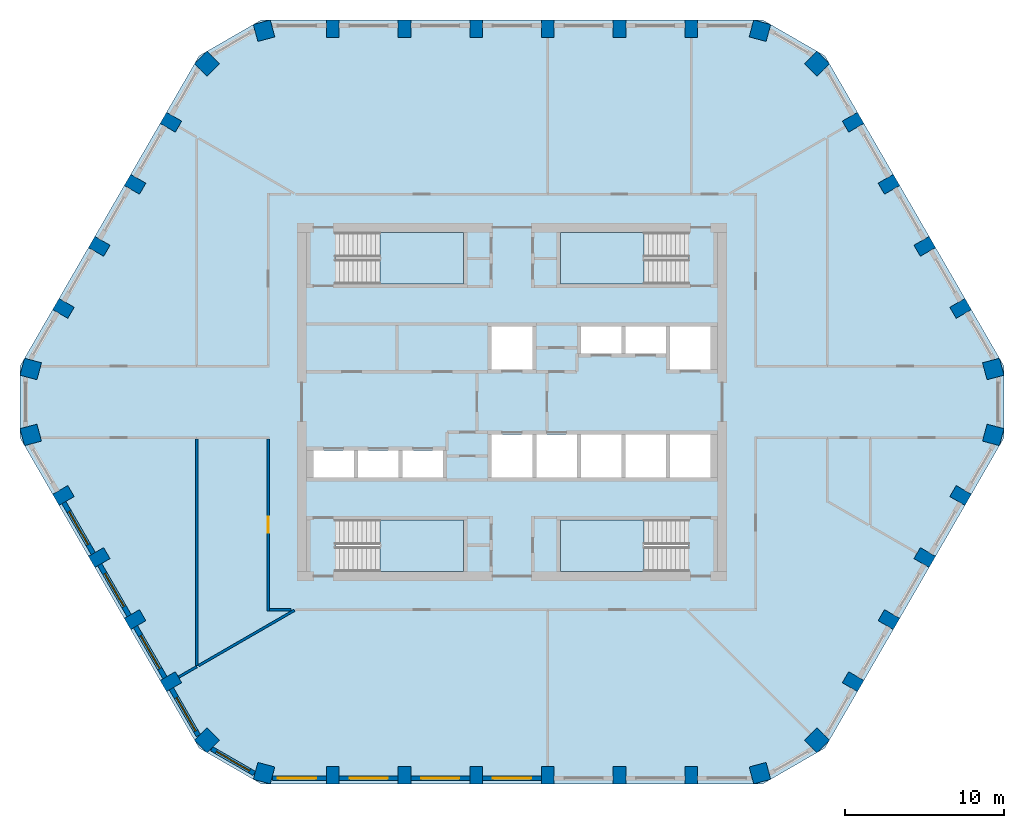
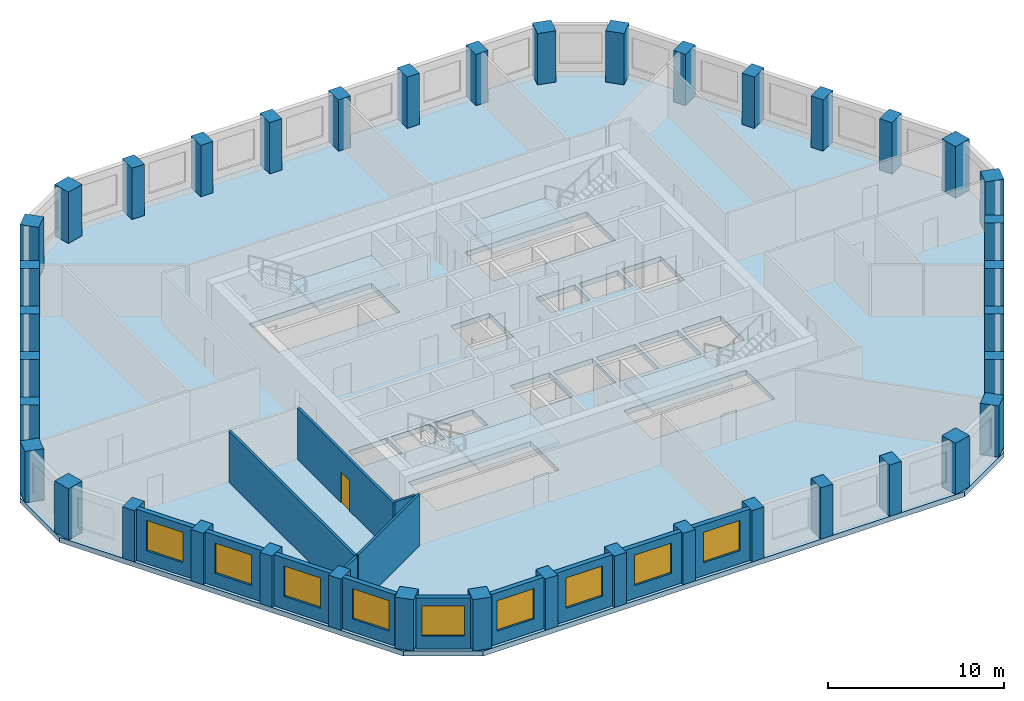
# One storey, part 1 of 8: 40 columns, 14 walls, 9 windows, 5 slabs, 1 door, 10 openings, 4 elements without a shape of their own.
"""IFC4 building model written with IfcOpenShell, lengths in metres."""

from ifc_helpers import new_model, si_unit, direction, frame, frame_2d, origin, origin_2d, place, context, subcontext, project, spatial, polyline, rectangle, outline, extrude, material, layer, layer_set, material_profile, profile_set, type_object, element, fill, aggregate, save


model = new_model("IFC4")

# Units and contexts
model_context = context("Model", 3, precision=1e-05, world=origin(), true_north=direction((0.0, 1.0)))
body_context = subcontext(model_context, "Body", "Model", "MODEL_VIEW")
ifc_project = project(units=[si_unit("LENGTHUNIT", "METRE"), si_unit("AREAUNIT", "SQUARE_METRE"), si_unit("VOLUMEUNIT", "CUBIC_METRE"), si_unit("PLANEANGLEUNIT", "RADIAN"), si_unit("MASSUNIT", "GRAM", prefix="KILO")], contexts=[model_context])

# Site, building, storey
site_placement = place(None, origin())
site = spatial("IfcSite", under=ifc_project, at=site_placement, CompositionType="ELEMENT")
building_placement = place(site_placement, origin())
building = spatial("IfcBuilding", under=site, at=building_placement, Name="Dhurran Vertical Campus", CompositionType="ELEMENT")
storey_placement = place(building_placement, frame((0.0, 0.0, 219.0)))
storey = spatial("IfcBuildingStorey", under=building, at=storey_placement, Name="L54", CompositionType="ELEMENT", Elevation=219.0)

# Columns
ifc_material_1 = material(Name="Concrete C50/60", Category="concrete")
ifc_material_profile_1 = material_profile(ifc_material_1, rectangle(XDim=1.10009765625, YDim=1.10009765625, at=origin_2d()), Name="RC 1100x1100")
ifc_profile_set_1 = profile_set([ifc_material_profile_1], Name="Concrete C50/60")
column_type_1 = type_object("IfcColumnType", Name="FR COL RC 1100x1100 C50/60", PredefinedType="COLUMN", material=ifc_profile_set_1)
for number, where, z_axis, x_axis, name in (
    (1, (-15.569580078125, -23.31201171875, 0.0), (0.0, 0.0, 1.0), (0.965925826289, -0.258819045103, 0.0), "Perimeter pier PP4.00"),
    (2, (15.569580078125, -23.31201171875, 0.0), (0.0, 0.0, 1.0), (0.965925826289, 0.258819045103, 0.0), "Perimeter pier PP4.07"),
    (3, (19.154052734375, -21.242431640625, 0.0), (0.0, 0.0, 1.0), (0.707106781187, 0.707106781187, 0.0), "Perimeter pier PP4.08"),
    (4, (30.223388671875, -2.069580078125, 0.0), (0.0, 0.0, 1.0), (0.258819045103, 0.965925826289, 0.0), "Perimeter pier PP4.13"),
    (5, (30.223388671875, 2.069580078125, 0.0), (0.0, 0.0, 1.0), (-0.258819045103, 0.965925826289, 0.0), "Perimeter pier PP4.14"),
    (6, (19.154052734375, 21.242431640625, 0.0), (0.0, 0.0, 1.0), (-0.707106781187, 0.707106781187, 0.0), "Perimeter pier PP4.19"),
    (7, (15.569580078125, 23.31201171875, 0.0), (0.0, 0.0, 1.0), (-0.965925826289, 0.258819045103, 0.0), "Perimeter pier PP4.20"),
    (8, (-15.569580078125, 23.31201171875, 0.0), (0.0, 0.0, 1.0), (-0.965925826289, -0.258819045103, 0.0), "Perimeter pier PP4.27"),
    (9, (-19.154052734375, 21.242431640625, 0.0), (0.0, 0.0, 1.0), (-0.707106781187, -0.707106781187, 0.0), "Perimeter pier PP4.28"),
    (10, (-30.223388671875, 2.069580078125, 0.0), (0.0, 0.0, 1.0), (-0.258819045103, -0.965925826289, 0.0), "Perimeter pier PP4.33"),
    (11, (-30.223388671875, -2.069580078125, 0.0), (0.0, 0.0, 1.0), (0.258819045103, -0.965925826289, 0.0), "Perimeter pier PP4.34"),
    (12, (-19.154052734375, -21.242431640625, 0.0), (0.0, 0.0, 1.0), (0.707106781187, -0.707106781187, 0.0), "Perimeter pier PP4.39"),
):
    element("IfcColumn", number, at=place(storey_placement, frame(where, z_axis=z_axis, x_axis=x_axis)), inside=storey, type_object=column_type_1, Name=name, PredefinedType="COLUMN", context=body_context, shape_type="SweptSolid", body=[
        extrude(rectangle(XDim=1.10009765625, YDim=1.10009765625, at=origin_2d()), origin(), (0.0, 0.0, 1.0), 3.550048828125),
    ])
ifc_material_2 = material(Name="Concrete C50/60", Category="concrete")
ifc_material_profile_2 = material_profile(ifc_material_2, rectangle(XDim=0.800048828125, YDim=1.10009765625, at=origin_2d()), Name="RC 800x1100")
ifc_profile_set_2 = profile_set([ifc_material_profile_2], Name="Concrete C50/60")
column_type_2 = type_object("IfcColumnType", Name="FR COL RC 800x1100 C50/60", PredefinedType="COLUMN", material=ifc_profile_set_2)
for number, where, z_axis, x_axis, name in (
    (13, (-11.25, -23.435546875, 0.0), (0.0, 0.0, 1.0), (1.0, 0.0, 0.0), "Perimeter pier PP4.01"),
    (14, (-6.75, -23.435546875, 0.0), (0.0, 0.0, 1.0), (1.0, 0.0, 0.0), "Perimeter pier PP4.02"),
    (15, (-2.25, -23.435546875, 0.0), (0.0, 0.0, 1.0), (1.0, 0.0, 0.0), "Perimeter pier PP4.03"),
    (16, (2.25, -23.435546875, 0.0), (0.0, 0.0, 1.0), (1.0, 0.0, 0.0), "Perimeter pier PP4.04"),
    (17, (6.75, -23.435546875, 0.0), (0.0, 0.0, 1.0), (1.0, 0.0, 0.0), "Perimeter pier PP4.05"),
    (18, (11.25, -23.435546875, 0.0), (0.0, 0.0, 1.0), (1.0, 0.0, 0.0), "Perimeter pier PP4.06"),
    (19, (21.4208984375, -17.5634765625, 0.0), (0.0, 0.0, 1.0), (0.5, 0.866025403784, 0.0), "Perimeter pier PP4.09"),
    (20, (23.6708984375, -13.666259765625, 0.0), (0.0, 0.0, 1.0), (0.5, 0.866025403784, 0.0), "Perimeter pier PP4.10"),
    (21, (25.9208984375, -9.769287109375, 0.0), (0.0, 0.0, 1.0), (0.5, 0.866025403784, 0.0), "Perimeter pier PP4.11"),
    (22, (28.1708984375, -5.8720703125, 0.0), (0.0, 0.0, 1.0), (0.5, 0.866025403784, 0.0), "Perimeter pier PP4.12"),
    (23, (28.1708984375, 5.8720703125, 0.0), (0.0, 0.0, 1.0), (-0.5, 0.866025403784, 0.0), "Perimeter pier PP4.15"),
    (24, (25.9208984375, 9.769287109375, 0.0), (0.0, 0.0, 1.0), (-0.5, 0.866025403784, 0.0), "Perimeter pier PP4.16"),
    (25, (23.6708984375, 13.666259765625, 0.0), (0.0, 0.0, 1.0), (-0.5, 0.866025403784, 0.0), "Perimeter pier PP4.17"),
    (26, (21.4208984375, 17.5634765625, 0.0), (0.0, 0.0, 1.0), (-0.5, 0.866025403784, 0.0), "Perimeter pier PP4.18"),
    (27, (11.25, 23.435546875, 0.0), (0.0, 0.0, 1.0), (-1.0, 0.0, 0.0), "Perimeter pier PP4.21"),
    (28, (6.75, 23.435546875, 0.0), (0.0, 0.0, 1.0), (-1.0, 0.0, 0.0), "Perimeter pier PP4.22"),
    (29, (2.25, 23.435546875, 0.0), (0.0, 0.0, 1.0), (-1.0, 0.0, 0.0), "Perimeter pier PP4.23"),
    (30, (-2.25, 23.435546875, 0.0), (0.0, 0.0, 1.0), (-1.0, 0.0, 0.0), "Perimeter pier PP4.24"),
    (31, (-6.75, 23.435546875, 0.0), (0.0, 0.0, 1.0), (-1.0, 0.0, 0.0), "Perimeter pier PP4.25"),
    (32, (-11.25, 23.435546875, 0.0), (0.0, 0.0, 1.0), (-1.0, 0.0, 0.0), "Perimeter pier PP4.26"),
    (33, (-21.4208984375, 17.5634765625, 0.0), (0.0, 0.0, 1.0), (-0.5, -0.866025403784, 0.0), "Perimeter pier PP4.29"),
    (34, (-23.6708984375, 13.666259765625, 0.0), (0.0, 0.0, 1.0), (-0.5, -0.866025403784, 0.0), "Perimeter pier PP4.30"),
    (35, (-25.9208984375, 9.769287109375, 0.0), (0.0, 0.0, 1.0), (-0.5, -0.866025403784, 0.0), "Perimeter pier PP4.31"),
    (36, (-28.1708984375, 5.8720703125, 0.0), (0.0, 0.0, 1.0), (-0.5, -0.866025403784, 0.0), "Perimeter pier PP4.32"),
    (37, (-28.1708984375, -5.8720703125, 0.0), (0.0, 0.0, 1.0), (0.5, -0.866025403784, 0.0), "Perimeter pier PP4.35"),
    (38, (-25.9208984375, -9.769287109375, 0.0), (0.0, 0.0, 1.0), (0.5, -0.866025403784, 0.0), "Perimeter pier PP4.36"),
    (39, (-23.6708984375, -13.666259765625, 0.0), (0.0, 0.0, 1.0), (0.5, -0.866025403784, 0.0), "Perimeter pier PP4.37"),
    (40, (-21.4208984375, -17.5634765625, 0.0), (0.0, 0.0, 1.0), (0.5, -0.866025403784, 0.0), "Perimeter pier PP4.38"),
):
    element("IfcColumn", number, at=place(storey_placement, frame(where, z_axis=z_axis, x_axis=x_axis)), inside=storey, type_object=column_type_2, Name=name, PredefinedType="COLUMN", context=body_context, shape_type="SweptSolid", body=[
        extrude(rectangle(XDim=0.800048828125, YDim=1.10009765625, at=origin_2d()), origin(), (0.0, 0.0, 1.0), 3.550048828125),
    ])

# Slab
ifc_material_3 = material(Name="Concrete C40/50", Category="concrete")
ifc_layer_1 = layer(ifc_material_3, 0.35009765625)
ifc_layer_set_1 = layer_set([ifc_layer_1], Name="Concrete C40/50")
slab_type_1 = type_object("IfcSlabType", Name="FR POST-TENSIONED FLAT SLAB 350", PredefinedType="FLOOR", material=ifc_layer_set_1)
slab_1_placement = place(storey_placement, frame((0.0, 0.0, -0.35009765625)))
element("IfcSlab", 41, at=slab_1_placement, inside=storey, type_object=slab_type_1, Name="Floor slab L54", PredefinedType="FLOOR", context=body_context, shape_type="SweptSolid", body=[
    extrude(outline(polyline([(-15.75, -23.985595703125), (15.75, -23.985595703125), (19.647216796875, -21.735595703125), (30.897216796875, -2.25), (30.897216796875, 2.25), (19.647216796875, 21.735595703125), (15.75, 23.985595703125), (-15.75, 23.985595703125), (-19.647216796875, 21.735595703125), (-30.897216796875, 2.25), (-30.897216796875, -2.25), (-19.647216796875, -21.735595703125), (-15.75, -23.985595703125)]), holes=[polyline([(-1.27490234375, 2.050048828125), (1.27490234375, 2.050048828125), (1.27490234375, 4.75), (-1.27490234375, 4.75), (-1.27490234375, 2.050048828125)]), polyline([(9.925048828125, 2.050048828125), (12.47509765625, 2.050048828125), (12.47509765625, 4.75), (9.925048828125, 4.75), (9.925048828125, 2.050048828125)]), polyline([(-1.27490234375, -4.75), (1.27490234375, -4.75), (1.27490234375, -2.050048828125), (-1.27490234375, -2.050048828125), (-1.27490234375, -4.75)]), polyline([(1.52490234375, -4.75), (4.074951171875, -4.75), (4.074951171875, -2.050048828125), (1.52490234375, -2.050048828125), (1.52490234375, -4.75)]), polyline([(4.324951171875, -4.75), (6.875, -4.75), (6.875, -2.050048828125), (4.324951171875, -2.050048828125), (4.324951171875, -4.75)]), polyline([(7.125, -4.75), (9.675048828125, -4.75), (9.675048828125, -2.050048828125), (7.125, -2.050048828125), (7.125, -4.75)]), polyline([(9.925048828125, -4.75), (12.47509765625, -4.75), (12.47509765625, -2.050048828125), (9.925048828125, -2.050048828125), (9.925048828125, -4.75)]), polyline([(4.324951171875, 3.050048828125), (6.875, 3.050048828125), (6.875, 4.75), (4.324951171875, 4.75), (4.324951171875, 3.050048828125)]), polyline([(7.125, 3.050048828125), (9.675048828125, 3.050048828125), (9.675048828125, 4.75), (7.125, 4.75), (7.125, 3.050048828125)]), polyline([(-12.47509765625, -4.75), (-9.925048828125, -4.75), (-9.925048828125, -3.050048828125), (-12.47509765625, -3.050048828125), (-12.47509765625, -4.75)]), polyline([(-9.675048828125, -4.75), (-7.125, -4.75), (-7.125, -3.050048828125), (-9.675048828125, -3.050048828125), (-9.675048828125, -4.75)]), polyline([(-6.875, -4.75), (-4.324951171875, -4.75), (-4.324951171875, -3.050048828125), (-6.875, -3.050048828125), (-6.875, -4.75)]), polyline([(-11.050048828125, 7.39990234375), (-3.050048828125, 7.39990234375), (-3.050048828125, 10.64990234375), (-11.050048828125, 10.64990234375), (-11.050048828125, 7.39990234375)]), polyline([(3.050048828125, 7.39990234375), (11.050048828125, 7.39990234375), (11.050048828125, 10.64990234375), (3.050048828125, 10.64990234375), (3.050048828125, 7.39990234375)]), polyline([(-11.050048828125, -10.64990234375), (-3.050048828125, -10.64990234375), (-3.050048828125, -7.39990234375), (-11.050048828125, -7.39990234375), (-11.050048828125, -10.64990234375)]), polyline([(3.050048828125, -10.64990234375), (11.050048828125, -10.64990234375), (11.050048828125, -7.39990234375), (3.050048828125, -7.39990234375), (3.050048828125, -10.64990234375)])]), origin(), (0.0, 0.0, 1.0), 0.35009765625),
])

# Stair, slab
ifc_material_4 = material(Name="Concrete C40/50", Category="concrete")
stair_type = type_object("IfcStairType", Name="co-ST-CORE", PredefinedType="HALF_TURN_STAIR", material=ifc_material_4)
stair_1_placement = place(storey_placement, origin())
stair_1 = element("IfcStair", 42, at=stair_1_placement, inside=storey, type_object=stair_type, Name="L54 Protected exit stair ST1", PredefinedType="HALF_TURN_STAIR")
ifc_material_5 = material(Name="Concrete C40/50", Category="concrete")
ifc_layer_2 = layer(ifc_material_5, 0.199951171875)
ifc_layer_set_2 = layer_set([ifc_layer_2], Name="Concrete C40/50")
slab_type_2 = type_object("IfcSlabType", Name="co-SL-LANDING", PredefinedType="LANDING", material=ifc_layer_set_2)
slab_2_placement = place(storey_placement, frame((0.0, 0.0, 1.75)))
slab_2 = element("IfcSlab", 43, at=slab_2_placement, type_object=slab_type_2, Name="ST1 landing 1", PredefinedType="LANDING", context=body_context, shape_type="SweptSolid", body=[
    extrude(outline(polyline([(-8.300048828125, 7.39990234375), (-3.050048828125, 7.39990234375), (-3.050048828125, 10.64990234375), (-8.300048828125, 10.64990234375), (-8.300048828125, 7.39990234375)])), origin(), (0.0, 0.0, 1.0), 0.199951171875),
])
aggregate(stair_1, [slab_2])

stair_2_placement = place(storey_placement, origin())
stair_2 = element("IfcStair", 44, at=stair_2_placement, inside=storey, type_object=stair_type, Name="L54 Protected exit stair ST2", PredefinedType="HALF_TURN_STAIR")
slab_3_placement = place(storey_placement, frame((0.0, 0.0, 1.75)))
slab_3 = element("IfcSlab", 45, at=slab_3_placement, type_object=slab_type_2, Name="ST2 landing 1", PredefinedType="LANDING", context=body_context, shape_type="SweptSolid", body=[
    extrude(outline(polyline([(8.300048828125, 10.64990234375), (3.050048828125, 10.64990234375), (3.050048828125, 7.39990234375), (8.300048828125, 7.39990234375), (8.300048828125, 10.64990234375)])), origin(), (0.0, 0.0, 1.0), 0.199951171875),
])
aggregate(stair_2, [slab_3])

stair_3_placement = place(storey_placement, origin())
stair_3 = element("IfcStair", 46, at=stair_3_placement, inside=storey, type_object=stair_type, Name="L54 Protected exit stair ST3", PredefinedType="HALF_TURN_STAIR")
slab_4_placement = place(storey_placement, frame((0.0, 0.0, 1.75)))
slab_4 = element("IfcSlab", 47, at=slab_4_placement, type_object=slab_type_2, Name="ST3 landing 1", PredefinedType="LANDING", context=body_context, shape_type="SweptSolid", body=[
    extrude(outline(polyline([(-8.300048828125, -10.64990234375), (-3.050048828125, -10.64990234375), (-3.050048828125, -7.39990234375), (-8.300048828125, -7.39990234375), (-8.300048828125, -10.64990234375)])), origin(), (0.0, 0.0, 1.0), 0.199951171875),
])
aggregate(stair_3, [slab_4])

stair_4_placement = place(storey_placement, origin())
stair_4 = element("IfcStair", 48, at=stair_4_placement, inside=storey, type_object=stair_type, Name="L54 Protected exit stair ST4", PredefinedType="HALF_TURN_STAIR")
slab_5_placement = place(storey_placement, frame((0.0, 0.0, 1.75)))
slab_5 = element("IfcSlab", 49, at=slab_5_placement, type_object=slab_type_2, Name="ST4 landing 1", PredefinedType="LANDING", context=body_context, shape_type="SweptSolid", body=[
    extrude(outline(polyline([(8.300048828125, -7.39990234375), (3.050048828125, -7.39990234375), (3.050048828125, -10.64990234375), (8.300048828125, -10.64990234375), (8.300048828125, -7.39990234375)])), origin(), (0.0, 0.0, 1.0), 0.199951171875),
])
aggregate(stair_4, [slab_5])

# Wall, opening, window
ifc_material_6 = material(Name="Precast concrete C50/60", Category="concrete")
ifc_layer_3 = layer(ifc_material_6, 0.300048828125)
ifc_layer_set_3 = layer_set([ifc_layer_3], Name="Precast concrete C50/60")
wall_type_1 = type_object("IfcWallType", Name="Precast spandrel wall 300", PredefinedType="SOLIDWALL", material=ifc_layer_set_3)
wall_1_placement = place(storey_placement, frame((-15.04638671875, -23.635498046875, 0.0), z_axis=(0.0, 0.0, 1.0), x_axis=(1.0, 0.0, 0.0)))
wall_1 = element("IfcWall", 50, at=wall_1_placement, inside=storey, type_object=wall_type_1, Name="EW1 L54.00", PredefinedType="SOLIDWALL", context=body_context, shape_type="SweptSolid", body=[
    extrude(rectangle(XDim=3.39599609375, YDim=0.300048828125, at=frame_2d((1.697998046875, 0.0))), origin(), (0.0, 0.0, 1.0), 3.550048828125),
])
opening_1_placement = place(wall_1_placement, frame((0.34619140625, 0.0, 0.89990234375)))
opening_1 = element("IfcOpeningElement", 51, at=opening_1_placement, cuts=wall_1, Name="Opening WT1", PredefinedType="OPENING", context=body_context, shape_type="SweptSolid", body=[
    extrude(rectangle(XDim=2.39990234375, YDim=2.10009765625, at=frame_2d((1.199951171875, 1.050048828125))), frame((0.0, 0.159912109375, 0.0), z_axis=(0.0, -1.0, 0.0), x_axis=(1.0, 0.0, 0.0)), (0.0, 0.0, 1.0), 0.320068359375),
])
ifc_material_7 = material(Name="Aluminium frame with solar-control glass", Category="aluminium")
window_type = type_object("IfcWindowType", Name="Punched window 2400 x 2100", PartitioningType="SINGLE_PANEL", PredefinedType="WINDOW", material=ifc_material_7)
window_1_placement = place(opening_1_placement, origin())
window_1 = element("IfcWindow", 52, at=window_1_placement, inside=storey, type_object=window_type, Name="WT1 L54.00", OverallHeight=2.10009765625, OverallWidth=2.39990234375, PartitioningType="SINGLE_PANEL", PredefinedType="WINDOW", context=body_context, shape_type="SweptSolid", body=[
    extrude(rectangle(XDim=2.39990234375, YDim=2.10009765625, at=frame_2d((1.199951171875, 1.050048828125))), frame((0.0, 0.030029296875, 0.0), z_axis=(0.0, -1.0, 0.0), x_axis=(1.0, 0.0, 0.0)), (0.0, 0.0, 1.0), 0.06005859375),
])
fill(opening_1, window_1)

wall_2_placement = place(storey_placement, frame((-10.849609375, -23.635498046875, 0.0), z_axis=(0.0, 0.0, 1.0), x_axis=(1.0, 0.0, 0.0)))
wall_2 = element("IfcWall", 53, at=wall_2_placement, inside=storey, type_object=wall_type_1, Name="EW1 L54.01", PredefinedType="SOLIDWALL", context=body_context, shape_type="SweptSolid", body=[
    extrude(rectangle(XDim=3.69921875, YDim=0.300048828125, at=frame_2d((1.849609375, 0.0))), origin(), (0.0, 0.0, 1.0), 3.550048828125),
])
opening_2_placement = place(wall_2_placement, frame((0.6494140625, 0.0, 0.89990234375)))
opening_2 = element("IfcOpeningElement", 54, at=opening_2_placement, cuts=wall_2, Name="Opening WT1", PredefinedType="OPENING", context=body_context, shape_type="SweptSolid", body=[
    extrude(rectangle(XDim=2.39990234375, YDim=2.10009765625, at=frame_2d((1.199951171875, 1.050048828125))), frame((0.0, 0.159912109375, 0.0), z_axis=(0.0, -1.0, 0.0), x_axis=(1.0, 0.0, 0.0)), (0.0, 0.0, 1.0), 0.320068359375),
])
window_2_placement = place(opening_2_placement, origin())
window_2 = element("IfcWindow", 55, at=window_2_placement, inside=storey, type_object=window_type, Name="WT1 L54.01", OverallHeight=2.10009765625, OverallWidth=2.39990234375, PartitioningType="SINGLE_PANEL", PredefinedType="WINDOW", context=body_context, shape_type="SweptSolid", body=[
    extrude(rectangle(XDim=2.39990234375, YDim=2.10009765625, at=frame_2d((1.199951171875, 1.050048828125))), frame((0.0, 0.030029296875, 0.0), z_axis=(0.0, -1.0, 0.0), x_axis=(1.0, 0.0, 0.0)), (0.0, 0.0, 1.0), 0.06005859375),
])
fill(opening_2, window_2)

wall_3_placement = place(storey_placement, frame((-6.349609375, -23.635498046875, 0.0), z_axis=(0.0, 0.0, 1.0), x_axis=(1.0, 0.0, 0.0)))
wall_3 = element("IfcWall", 56, at=wall_3_placement, inside=storey, type_object=wall_type_1, Name="EW1 L54.02", PredefinedType="SOLIDWALL", context=body_context, shape_type="SweptSolid", body=[
    extrude(rectangle(XDim=3.69921875, YDim=0.300048828125, at=frame_2d((1.849609375, 0.0))), origin(), (0.0, 0.0, 1.0), 3.550048828125),
])
opening_3_placement = place(wall_3_placement, frame((0.6494140625, 0.0, 0.89990234375)))
opening_3 = element("IfcOpeningElement", 57, at=opening_3_placement, cuts=wall_3, Name="Opening WT1", PredefinedType="OPENING", context=body_context, shape_type="SweptSolid", body=[
    extrude(rectangle(XDim=2.39990234375, YDim=2.10009765625, at=frame_2d((1.199951171875, 1.050048828125))), frame((0.0, 0.159912109375, 0.0), z_axis=(0.0, -1.0, 0.0), x_axis=(1.0, 0.0, 0.0)), (0.0, 0.0, 1.0), 0.320068359375),
])
window_3_placement = place(opening_3_placement, origin())
window_3 = element("IfcWindow", 58, at=window_3_placement, inside=storey, type_object=window_type, Name="WT1 L54.02", OverallHeight=2.10009765625, OverallWidth=2.39990234375, PartitioningType="SINGLE_PANEL", PredefinedType="WINDOW", context=body_context, shape_type="SweptSolid", body=[
    extrude(rectangle(XDim=2.39990234375, YDim=2.10009765625, at=frame_2d((1.199951171875, 1.050048828125))), frame((0.0, 0.030029296875, 0.0), z_axis=(0.0, -1.0, 0.0), x_axis=(1.0, 0.0, 0.0)), (0.0, 0.0, 1.0), 0.06005859375),
])
fill(opening_3, window_3)

wall_4_placement = place(storey_placement, frame((-1.849609375, -23.635498046875, 0.0), z_axis=(0.0, 0.0, 1.0), x_axis=(1.0, 0.0, 0.0)))
wall_4 = element("IfcWall", 59, at=wall_4_placement, inside=storey, type_object=wall_type_1, Name="EW1 L54.03", PredefinedType="SOLIDWALL", context=body_context, shape_type="SweptSolid", body=[
    extrude(rectangle(XDim=3.69921875, YDim=0.300048828125, at=frame_2d((1.849609375, 0.0))), origin(), (0.0, 0.0, 1.0), 3.550048828125),
])
opening_4_placement = place(wall_4_placement, frame((0.6494140625, 0.0, 0.89990234375)))
opening_4 = element("IfcOpeningElement", 60, at=opening_4_placement, cuts=wall_4, Name="Opening WT1", PredefinedType="OPENING", context=body_context, shape_type="SweptSolid", body=[
    extrude(rectangle(XDim=2.39990234375, YDim=2.10009765625, at=frame_2d((1.199951171875, 1.050048828125))), frame((0.0, 0.159912109375, 0.0), z_axis=(0.0, -1.0, 0.0), x_axis=(1.0, 0.0, 0.0)), (0.0, 0.0, 1.0), 0.320068359375),
])
window_4_placement = place(opening_4_placement, origin())
window_4 = element("IfcWindow", 61, at=window_4_placement, inside=storey, type_object=window_type, Name="WT1 L54.03", OverallHeight=2.10009765625, OverallWidth=2.39990234375, PartitioningType="SINGLE_PANEL", PredefinedType="WINDOW", context=body_context, shape_type="SweptSolid", body=[
    extrude(rectangle(XDim=2.39990234375, YDim=2.10009765625, at=frame_2d((1.199951171875, 1.050048828125))), frame((0.0, 0.030029296875, 0.0), z_axis=(0.0, -1.0, 0.0), x_axis=(1.0, 0.0, 0.0)), (0.0, 0.0, 1.0), 0.06005859375),
])
fill(opening_4, window_4)

wall_5_placement = place(storey_placement, frame((-28.143798828125, -6.319091796875, 0.0), z_axis=(0.0, 0.0, 1.0), x_axis=(0.500029062817, -0.866008623709, 0.0)))
wall_5 = element("IfcWall", 62, at=wall_5_placement, inside=storey, type_object=wall_type_1, Name="EW1 L54.35", PredefinedType="SOLIDWALL", context=body_context, shape_type="SweptSolid", body=[
    extrude(rectangle(XDim=3.698974609375, YDim=0.300048828125, at=frame_2d((1.849609375, 0.0))), origin(), (0.0, 0.0, 1.0), 3.550048828125),
])
opening_5_placement = place(wall_5_placement, frame((0.6494140625, 0.0, 0.89990234375)))
opening_5 = element("IfcOpeningElement", 63, at=opening_5_placement, cuts=wall_5, Name="Opening WT1", PredefinedType="OPENING", context=body_context, shape_type="SweptSolid", body=[
    extrude(rectangle(XDim=2.39990234375, YDim=2.10009765625, at=frame_2d((1.199951171875, 1.050048828125))), frame((0.0, 0.159912109375, 0.0), z_axis=(0.0, -1.0, 0.0), x_axis=(1.0, 0.0, 0.0)), (0.0, 0.0, 1.0), 0.320068359375),
])
window_5_placement = place(opening_5_placement, origin())
window_5 = element("IfcWindow", 64, at=window_5_placement, inside=storey, type_object=window_type, Name="WT1 L54.35", OverallHeight=2.10009765625, OverallWidth=2.39990234375, PartitioningType="SINGLE_PANEL", PredefinedType="WINDOW", context=body_context, shape_type="SweptSolid", body=[
    extrude(rectangle(XDim=2.39990234375, YDim=2.10009765625, at=frame_2d((1.199951171875, 1.050048828125))), frame((0.0, 0.030029296875, 0.0), z_axis=(0.0, -1.0, 0.0), x_axis=(1.0, 0.0, 0.0)), (0.0, 0.0, 1.0), 0.06005859375),
])
fill(opening_5, window_5)

wall_6_placement = place(storey_placement, frame((-25.893798828125, -10.216064453125, 0.0), z_axis=(0.0, 0.0, 1.0), x_axis=(0.500029062817, -0.866008623709, 0.0)))
wall_6 = element("IfcWall", 65, at=wall_6_placement, inside=storey, type_object=wall_type_1, Name="EW1 L54.36", PredefinedType="SOLIDWALL", context=body_context, shape_type="SweptSolid", body=[
    extrude(rectangle(XDim=3.698974609375, YDim=0.300048828125, at=frame_2d((1.849609375, 0.0))), origin(), (0.0, 0.0, 1.0), 3.550048828125),
])
opening_6_placement = place(wall_6_placement, frame((0.6494140625, 0.0, 0.89990234375)))
opening_6 = element("IfcOpeningElement", 66, at=opening_6_placement, cuts=wall_6, Name="Opening WT1", PredefinedType="OPENING", context=body_context, shape_type="SweptSolid", body=[
    extrude(rectangle(XDim=2.39990234375, YDim=2.10009765625, at=frame_2d((1.199951171875, 1.050048828125))), frame((0.0, 0.159912109375, 0.0), z_axis=(0.0, -1.0, 0.0), x_axis=(1.0, 0.0, 0.0)), (0.0, 0.0, 1.0), 0.320068359375),
])
window_6_placement = place(opening_6_placement, origin())
window_6 = element("IfcWindow", 67, at=window_6_placement, inside=storey, type_object=window_type, Name="WT1 L54.36", OverallHeight=2.10009765625, OverallWidth=2.39990234375, PartitioningType="SINGLE_PANEL", PredefinedType="WINDOW", context=body_context, shape_type="SweptSolid", body=[
    extrude(rectangle(XDim=2.39990234375, YDim=2.10009765625, at=frame_2d((1.199951171875, 1.050048828125))), frame((0.0, 0.030029296875, 0.0), z_axis=(0.0, -1.0, 0.0), x_axis=(1.0, 0.0, 0.0)), (0.0, 0.0, 1.0), 0.06005859375),
])
fill(opening_6, window_6)

wall_7_placement = place(storey_placement, frame((-23.643798828125, -14.11328125, 0.0), z_axis=(0.0, 0.0, 1.0), x_axis=(0.500029062817, -0.866008623709, 0.0)))
wall_7 = element("IfcWall", 68, at=wall_7_placement, inside=storey, type_object=wall_type_1, Name="EW1 L54.37", PredefinedType="SOLIDWALL", context=body_context, shape_type="SweptSolid", body=[
    extrude(rectangle(XDim=3.698974609375, YDim=0.300048828125, at=frame_2d((1.849609375, 0.0))), origin(), (0.0, 0.0, 1.0), 3.550048828125),
])
opening_7_placement = place(wall_7_placement, frame((0.6494140625, 0.0, 0.89990234375)))
opening_7 = element("IfcOpeningElement", 69, at=opening_7_placement, cuts=wall_7, Name="Opening WT1", PredefinedType="OPENING", context=body_context, shape_type="SweptSolid", body=[
    extrude(rectangle(XDim=2.39990234375, YDim=2.10009765625, at=frame_2d((1.199951171875, 1.050048828125))), frame((0.0, 0.159912109375, 0.0), z_axis=(0.0, -1.0, 0.0), x_axis=(1.0, 0.0, 0.0)), (0.0, 0.0, 1.0), 0.320068359375),
])
window_7_placement = place(opening_7_placement, origin())
window_7 = element("IfcWindow", 70, at=window_7_placement, inside=storey, type_object=window_type, Name="WT1 L54.37", OverallHeight=2.10009765625, OverallWidth=2.39990234375, PartitioningType="SINGLE_PANEL", PredefinedType="WINDOW", context=body_context, shape_type="SweptSolid", body=[
    extrude(rectangle(XDim=2.39990234375, YDim=2.10009765625, at=frame_2d((1.199951171875, 1.050048828125))), frame((0.0, 0.030029296875, 0.0), z_axis=(0.0, -1.0, 0.0), x_axis=(1.0, 0.0, 0.0)), (0.0, 0.0, 1.0), 0.06005859375),
])
fill(opening_7, window_7)

wall_8_placement = place(storey_placement, frame((-21.393798828125, -18.01025390625, 0.0), z_axis=(0.0, 0.0, 1.0), x_axis=(0.500012868213, -0.866017974191, 0.0)))
wall_8 = element("IfcWall", 71, at=wall_8_placement, inside=storey, type_object=wall_type_1, Name="EW1 L54.38", PredefinedType="SOLIDWALL", context=body_context, shape_type="SweptSolid", body=[
    extrude(rectangle(XDim=3.39599609375, YDim=0.300048828125, at=frame_2d((1.697998046875, 0.0))), origin(), (0.0, 0.0, 1.0), 3.550048828125),
])
opening_8_placement = place(wall_8_placement, frame((0.6494140625, 0.0, 0.89990234375)))
opening_8 = element("IfcOpeningElement", 72, at=opening_8_placement, cuts=wall_8, Name="Opening WT1", PredefinedType="OPENING", context=body_context, shape_type="SweptSolid", body=[
    extrude(rectangle(XDim=2.39990234375, YDim=2.10009765625, at=frame_2d((1.199951171875, 1.050048828125))), frame((0.0, 0.159912109375, 0.0), z_axis=(0.0, -1.0, 0.0), x_axis=(1.0, 0.0, 0.0)), (0.0, 0.0, 1.0), 0.320068359375),
])
window_8_placement = place(opening_8_placement, origin())
window_8 = element("IfcWindow", 73, at=window_8_placement, inside=storey, type_object=window_type, Name="WT1 L54.38", OverallHeight=2.10009765625, OverallWidth=2.39990234375, PartitioningType="SINGLE_PANEL", PredefinedType="WINDOW", context=body_context, shape_type="SweptSolid", body=[
    extrude(rectangle(XDim=2.39990234375, YDim=2.10009765625, at=frame_2d((1.199951171875, 1.050048828125))), frame((0.0, 0.030029296875, 0.0), z_axis=(0.0, -1.0, 0.0), x_axis=(1.0, 0.0, 0.0)), (0.0, 0.0, 1.0), 0.06005859375),
])
fill(opening_8, window_8)

wall_9_placement = place(storey_placement, frame((-18.86279296875, -21.7841796875, 0.0), z_axis=(0.0, 0.0, 1.0), x_axis=(0.865994975416, -0.500052699777, 0.0)))
wall_9 = element("IfcWall", 74, at=wall_9_placement, inside=storey, type_object=wall_type_1, Name="EW1 L54.39", PredefinedType="SOLIDWALL", context=body_context, shape_type="SweptSolid", body=[
    extrude(rectangle(XDim=3.093017578125, YDim=0.300048828125, at=frame_2d((1.54638671875, 0.0))), origin(), (0.0, 0.0, 1.0), 3.550048828125),
])
opening_9_placement = place(wall_9_placement, frame((0.34619140625, 0.0, 0.89990234375)))
opening_9 = element("IfcOpeningElement", 75, at=opening_9_placement, cuts=wall_9, Name="Opening WT1", PredefinedType="OPENING", context=body_context, shape_type="SweptSolid", body=[
    extrude(rectangle(XDim=2.39990234375, YDim=2.10009765625, at=frame_2d((1.199951171875, 1.050048828125))), frame((0.0, 0.159912109375, 0.0), z_axis=(0.0, -1.0, 0.0), x_axis=(1.0, 0.0, 0.0)), (0.0, 0.0, 1.0), 0.320068359375),
])
window_9_placement = place(opening_9_placement, origin())
window_9 = element("IfcWindow", 76, at=window_9_placement, inside=storey, type_object=window_type, Name="WT1 L54.39", OverallHeight=2.10009765625, OverallWidth=2.39990234375, PartitioningType="SINGLE_PANEL", PredefinedType="WINDOW", context=body_context, shape_type="SweptSolid", body=[
    extrude(rectangle(XDim=2.39990234375, YDim=2.10009765625, at=frame_2d((1.199951171875, 1.050048828125))), frame((0.0, 0.030029296875, 0.0), z_axis=(0.0, -1.0, 0.0), x_axis=(1.0, 0.0, 0.0)), (0.0, 0.0, 1.0), 0.06005859375),
])
fill(opening_9, window_9)

# Wall, opening, door
ifc_material_8 = material(Name="Gypsum board corridor wall on steel studs", Category="steel")
ifc_layer_4 = layer(ifc_material_8, 0.14990234375)
ifc_layer_set_4 = layer_set([ifc_layer_4], Name="Gypsum board corridor wall on steel studs")
wall_type_2 = type_object("IfcWallType", Name="fl-CW-150 corridor wall", PredefinedType="PARTITIONING", material=ifc_layer_set_4)
wall_10_placement = place(storey_placement, frame((-15.300048828125, -2.324951171875, 0.0), z_axis=(0.0, 0.0, 1.0), x_axis=(0.0, -1.0, 0.0)))
wall_10 = element("IfcWall", 77, at=wall_10_placement, inside=storey, type_object=wall_type_2, Name="Partition 54-11", PredefinedType="PARTITIONING", context=body_context, shape_type="SweptSolid", body=[
    extrude(rectangle(XDim=10.800048828125, YDim=0.14990234375, at=frame_2d((5.39990234375, 0.0))), origin(), (0.0, 0.0, 1.0), 3.550048828125),
])
opening_10_placement = place(wall_10_placement, frame((4.89990234375, 0.0, 0.0)))
opening_10 = element("IfcOpeningElement", 78, at=opening_10_placement, cuts=wall_10, Name="Opening T16.03", PredefinedType="OPENING", context=body_context, shape_type="SweptSolid", body=[
    extrude(rectangle(XDim=1.0, YDim=2.10009765625, at=frame_2d((0.5, 1.050048828125))), frame((0.0, 0.0849609375, 0.0), z_axis=(0.0, -1.0, 0.0), x_axis=(1.0, 0.0, 0.0)), (0.0, 0.0, 1.0), 0.169921875),
])
ifc_material_9 = material(Name="Solid-core timber door set, fire-rated", Category="wood")
door_type = type_object("IfcDoorType", Name="fl-D-1000x2100", OperationType="SINGLE_SWING_LEFT", PredefinedType="DOOR", material=ifc_material_9)
door_placement = place(opening_10_placement, origin())
door = element("IfcDoor", 79, at=door_placement, inside=storey, type_object=door_type, Name="Door 54.03", OperationType="SINGLE_SWING_RIGHT", OverallHeight=2.10009765625, OverallWidth=1.0, PredefinedType="DOOR", context=body_context, shape_type="SweptSolid", body=[
    extrude(rectangle(XDim=1.0, YDim=2.10009765625, at=frame_2d((0.5, 1.050048828125))), frame((0.0, 0.02490234375, 0.0), z_axis=(0.0, -1.0, 0.0), x_axis=(1.0, 0.0, 0.0)), (0.0, 0.0, 1.0), 0.050048828125),
])
fill(opening_10, door)

# Walls
wall_11_placement = place(storey_placement, frame((-15.22509765625, -13.050048828125, 0.0), z_axis=(0.0, 0.0, 1.0), x_axis=(1.0, 0.0, 0.0)))
element("IfcWall", 80, at=wall_11_placement, inside=storey, type_object=wall_type_2, Name="Partition 54-12", PredefinedType="PARTITIONING", context=body_context, shape_type="SweptSolid", body=[
    extrude(rectangle(XDim=1.34716796875, YDim=0.14990234375, at=frame_2d((0.673583984375, 0.0))), origin(), (0.0, 0.0, 1.0), 3.550048828125),
])
ifc_material_10 = material(Name="Gypsum board partition on steel studs", Category="steel")
ifc_layer_5 = layer(ifc_material_10, 0.14990234375)
ifc_layer_set_5 = layer_set([ifc_layer_5], Name="Gypsum board partition on steel studs")
wall_type_3 = type_object("IfcWallType", Name="fl-PW-150 fixed partition", PredefinedType="PARTITIONING", material=ifc_layer_set_5)
wall_12_placement = place(storey_placement, frame((-19.800048828125, -16.6279296875, 0.0), z_axis=(0.0, 0.0, 1.0), x_axis=(-0.866157475642, -0.499771175029, 0.0)))
element("IfcWall", 81, at=wall_12_placement, inside=storey, type_object=wall_type_3, Name="Partition 54-03", PredefinedType="PARTITIONING", context=body_context, shape_type="SweptSolid", body=[
    extrude(rectangle(XDim=1.30126953125, YDim=0.14990234375, at=frame_2d((0.650634765625, 0.0))), origin(), (0.0, 0.0, 1.0), 3.550048828125),
])
wall_13_placement = place(storey_placement, frame((-19.800048828125, -2.324951171875, 0.0), z_axis=(0.0, 0.0, 1.0), x_axis=(0.0, -1.0, 0.0)))
element("IfcWall", 82, at=wall_13_placement, inside=storey, type_object=wall_type_3, Name="Partition 54-05", PredefinedType="PARTITIONING", context=body_context, shape_type="SweptSolid", body=[
    extrude(rectangle(XDim=14.22802734375, YDim=0.14990234375, at=frame_2d((7.114013671875, 0.0))), origin(), (0.0, 0.0, 1.0), 3.550048828125),
])
wall_14_placement = place(storey_placement, frame((-13.66796875, -13.08740234375, 0.0), z_axis=(0.0, 0.0, 1.0), x_axis=(-0.866012448988, -0.500022437694, 0.0)))
element("IfcWall", 83, at=wall_14_placement, inside=storey, type_object=wall_type_3, Name="Partition 54-06", PredefinedType="PARTITIONING", context=body_context, shape_type="SweptSolid", body=[
    extrude(rectangle(XDim=6.950927734375, YDim=0.14990234375, at=frame_2d((3.4755859375, 0.0))), origin(), (0.0, 0.0, 1.0), 3.550048828125),
])

save(model, "model.ifc")
